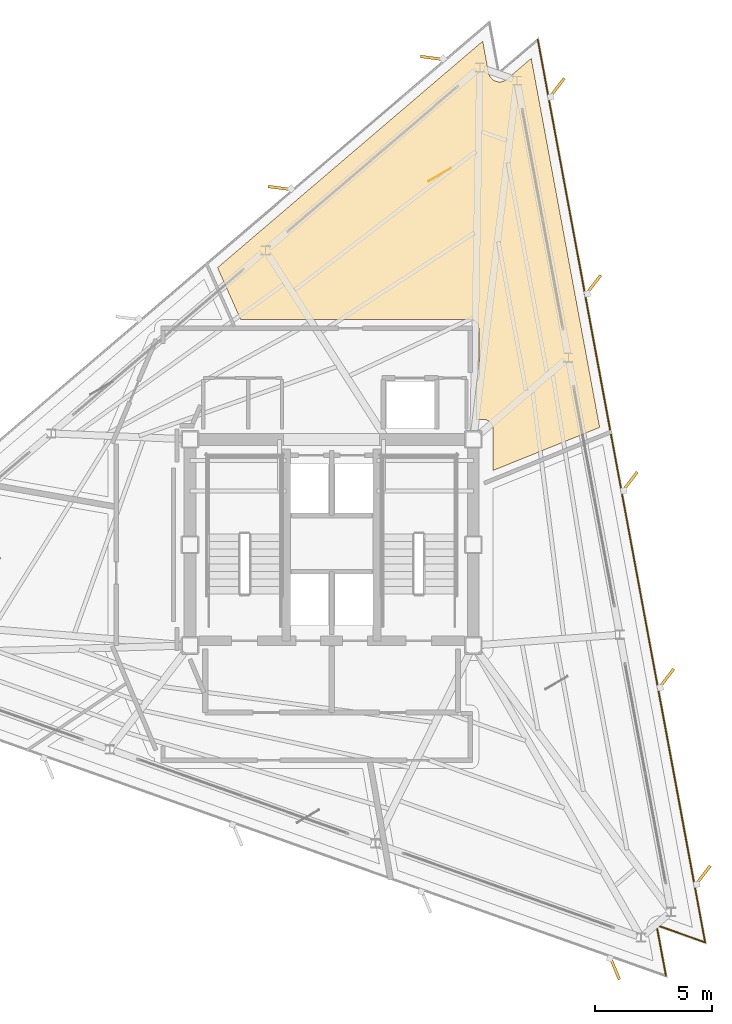
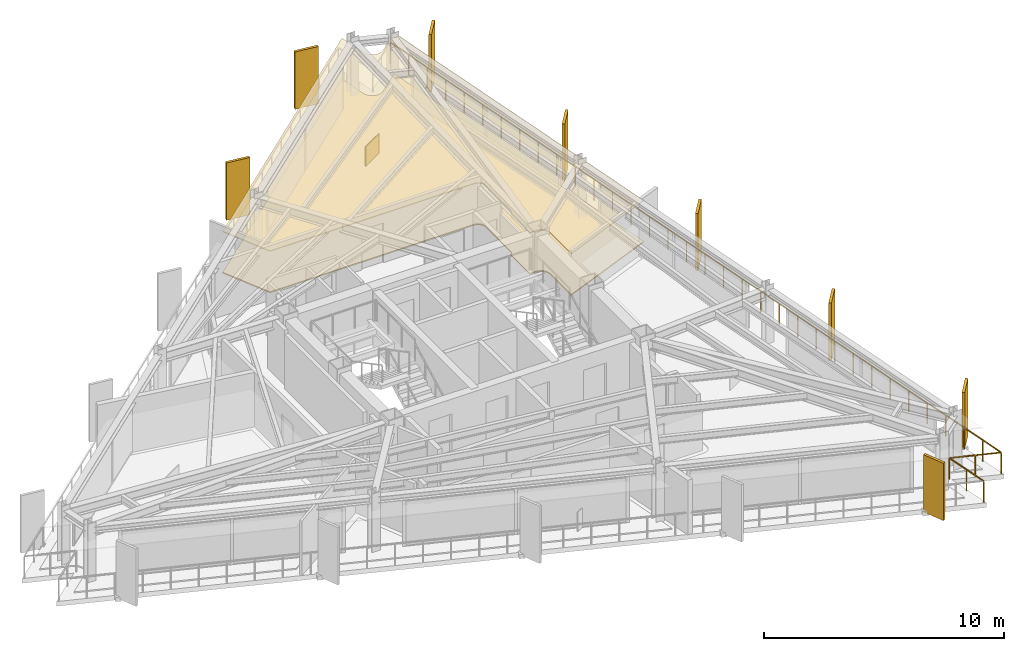
# One storey, part 14 of 14: 8 shading devices, 3 coverings, 1 railing.
"""IFC4 building model written with IfcOpenShell, lengths in metres."""

from ifc_helpers import new_model, si_unit, direction, frame, origin, origin_2d, place, context, subcontext, project, spatial, polyline, rectangle, outline, extrude, material, layer, layer_set, type_object, element, save


model = new_model("IFC4")

# Units and contexts
model_context = context("Model", 3, precision=1e-05, world=origin(), true_north=direction((0.0, 1.0)))
body_context = subcontext(model_context, "Body", "Model", "MODEL_VIEW")
ifc_project = project(units=[si_unit("LENGTHUNIT", "METRE"), si_unit("AREAUNIT", "SQUARE_METRE"), si_unit("VOLUMEUNIT", "CUBIC_METRE"), si_unit("PLANEANGLEUNIT", "RADIAN"), si_unit("MASSUNIT", "GRAM", prefix="KILO")], contexts=[model_context])

# Site, building, storey
site_placement = place(None, origin())
site = spatial("IfcSite", under=ifc_project, at=site_placement, CompositionType="ELEMENT")
building_placement = place(site_placement, origin())
building = spatial("IfcBuilding", under=site, at=building_placement, Name="Rocaltana Carrier Exchange", CompositionType="ELEMENT")
storey_placement = place(building_placement, frame((0.0, 0.0, 187.52001953125)))
storey = spatial("IfcBuildingStorey", under=building, at=storey_placement, Name="L59", CompositionType="ELEMENT", Elevation=187.52001953125)

# Coverings
ifc_material_1 = material(Name="Calcium Sulphate & Aluminium Pedestal", Category="aluminium")
ifc_layer_1 = layer(ifc_material_1, 0.06005859375)
ifc_layer_set_1 = layer_set([ifc_layer_1], Name="Calcium Sulphate & Aluminium Pedestal")
covering_type_1 = type_object("IfcCoveringType", Name="Anti-Static Raised Exchange Access Floor 60", PredefinedType="FLOORING", material=ifc_layer_set_1)
covering_1_placement = place(storey_placement, origin())
element("IfcCovering", 1, at=covering_1_placement, inside=storey, type_object=covering_type_1, Name="L59 Optical Switching Laboratory Finish Floor", PredefinedType="FLOORING", context=body_context, shape_type="SweptSolid", body=[
    extrude(outline(polyline([(6.159912109375, 6.931884765625), (6.16455078125, 6.93603515625), (6.18408203125, 6.955322265625), (6.189208984375, 6.961181640625), (6.206787109375, 6.982421875), (6.21142578125, 6.98876953125), (6.226806640625, 7.01171875), (6.230712890625, 7.018310546875), (6.24365234375, 7.04248046875), (6.2470703125, 7.0498046875), (6.257568359375, 7.0751953125), (6.26025390625, 7.08251953125), (6.268310546875, 7.108642578125), (6.27001953125, 7.116455078125), (6.275390625, 7.143310546875), (6.276611328125, 7.151123046875), (6.279296875, 7.178466796875), (6.27978515625, 7.186279296875), (6.280029296875, 7.199951171875), (6.280029296875, 9.25), (6.27978515625, 9.263671875), (6.279296875, 9.271484375), (6.276611328125, 9.298828125), (6.275390625, 9.306640625), (6.27001953125, 9.33349609375), (6.268310546875, 9.34130859375), (6.26025390625, 9.36767578125), (6.257568359375, 9.375), (6.2470703125, 9.400390625), (6.24365234375, 9.407470703125), (6.230712890625, 9.431640625), (6.226806640625, 9.4384765625), (6.21142578125, 9.461181640625), (6.206787109375, 9.467529296875), (6.189208984375, 9.48876953125), (6.18408203125, 9.49462890625), (6.16455078125, 9.513916015625), (6.15869140625, 9.519287109375), (6.137451171875, 9.53662109375), (6.131103515625, 9.54150390625), (6.1083984375, 9.556640625), (6.101806640625, 9.560791015625), (6.077392578125, 9.57373046875), (6.0703125, 9.576904296875), (6.044921875, 9.58740234375), (6.03759765625, 9.590087890625), (6.01123046875, 9.59814453125), (6.003662109375, 9.60009765625), (5.976806640625, 9.60546875), (5.968994140625, 9.606689453125), (5.941650390625, 9.609375), (5.93359375, 9.609619140625), (5.919921875, 9.610107421875), (-3.884521484375, 9.610107421875), (-4.87451171875, 11.83349609375), (6.447998046875, 21.50390625), (6.697265625, 20.157958984375), (6.7001953125, 20.144287109375), (6.704833984375, 20.125), (6.712646484375, 20.09814453125), (6.718994140625, 20.079345703125), (6.7294921875, 20.053466796875), (6.73779296875, 20.035400390625), (6.7509765625, 20.010498046875), (6.760986328125, 19.993408203125), (6.7763671875, 19.97021484375), (6.7880859375, 19.9541015625), (6.8056640625, 19.932373046875), (6.819091796875, 19.91748046875), (6.838623046875, 19.897705078125), (6.853515625, 19.88427734375), (6.875, 19.866455078125), (6.89111328125, 19.8544921875), (6.914306640625, 19.839111328125), (6.931396484375, 19.828857421875), (6.955810546875, 19.815673828125), (6.973876953125, 19.80712890625), (6.999755859375, 19.796630859375), (7.0185546875, 19.789794921875), (7.04541015625, 19.781982421875), (7.064697265625, 19.777099609375), (7.092041015625, 19.77197265625), (7.11181640625, 19.76904296875), (7.1396484375, 19.7666015625), (7.159423828125, 19.765625), (7.1875, 19.76611328125), (7.207275390625, 19.76708984375), (7.235107421875, 19.770263671875), (7.2548828125, 19.773193359375), (7.281982421875, 19.779052734375), (7.301513671875, 19.7841796875), (7.327880859375, 19.79248046875), (7.3466796875, 19.799560546875), (7.372314453125, 19.810791015625), (7.39013671875, 19.819580078125), (7.41455078125, 19.8330078125), (7.431396484375, 19.843505859375), (7.454345703125, 19.859619140625), (7.47021484375, 19.87158203125), (7.48095703125, 19.880615234375), (8.521728515625, 20.769287109375), (11.4423828125, 5.01123046875), (6.889892578125, 3.172119140625), (6.889892578125, 4.919921875), (6.8896484375, 4.93359375), (6.888916015625, 4.949462890625), (6.88623046875, 4.976806640625), (6.8837890625, 4.9921875), (6.87841796875, 5.019287109375), (6.874755859375, 5.034423828125), (6.86669921875, 5.060791015625), (6.861572265625, 5.07568359375), (6.850830078125, 5.100830078125), (6.84423828125, 5.114990234375), (6.831298828125, 5.139404296875), (6.8232421875, 5.15283203125), (6.807861328125, 5.17578125), (6.798583984375, 5.188232421875), (6.781005859375, 5.20947265625), (6.7705078125, 5.22119140625), (6.751220703125, 5.240478515625), (6.739501953125, 5.251220703125), (6.71826171875, 5.2685546875), (6.705810546875, 5.27783203125), (6.682861328125, 5.293212890625), (6.66943359375, 5.30126953125), (6.64501953125, 5.314208984375), (6.630859375, 5.32080078125), (6.605712890625, 5.33154296875), (6.5908203125, 5.336669921875), (6.564453125, 5.3447265625), (6.54931640625, 5.348388671875), (6.522216796875, 5.35400390625), (6.5068359375, 5.356201171875), (6.4794921875, 5.35888671875), (6.463623046875, 5.359619140625), (6.449951171875, 5.360107421875), (6.159912109375, 5.360107421875), (6.159912109375, 6.931884765625)])), origin(), (0.0, 0.0, 1.0), 0.06005859375),
])
ifc_material_2 = material(Name="Mineral Fibre & Powder-Coated Aluminium", Category="aluminium")
ifc_layer_2 = layer(ifc_material_2, 0.044921875)
ifc_layer_set_2 = layer_set([ifc_layer_2], Name="Mineral Fibre & Powder-Coated Aluminium")
covering_type_2 = type_object("IfcCoveringType", Name="Micro-Perforated Acoustic Ceiling 45", PredefinedType="CEILING", material=ifc_layer_set_2)
covering_2_placement = place(storey_placement, frame((0.0, 0.0, 2.10302734375)))
element("IfcCovering", 2, at=covering_2_placement, inside=storey, type_object=covering_type_2, Name="L59 Optical Switching Laboratory Acoustic Ceiling", PredefinedType="CEILING", context=body_context, shape_type="SweptSolid", body=[
    extrude(outline(polyline([(6.159912109375, 6.931884765625), (6.16455078125, 6.93603515625), (6.18408203125, 6.955322265625), (6.189208984375, 6.961181640625), (6.206787109375, 6.982421875), (6.21142578125, 6.98876953125), (6.226806640625, 7.01171875), (6.230712890625, 7.018310546875), (6.24365234375, 7.04248046875), (6.2470703125, 7.0498046875), (6.257568359375, 7.0751953125), (6.26025390625, 7.08251953125), (6.268310546875, 7.108642578125), (6.27001953125, 7.116455078125), (6.275390625, 7.143310546875), (6.276611328125, 7.151123046875), (6.279296875, 7.178466796875), (6.27978515625, 7.186279296875), (6.280029296875, 7.199951171875), (6.280029296875, 9.25), (6.27978515625, 9.263671875), (6.279296875, 9.271484375), (6.276611328125, 9.298828125), (6.275390625, 9.306640625), (6.27001953125, 9.33349609375), (6.268310546875, 9.34130859375), (6.26025390625, 9.36767578125), (6.257568359375, 9.375), (6.2470703125, 9.400390625), (6.24365234375, 9.407470703125), (6.230712890625, 9.431640625), (6.226806640625, 9.4384765625), (6.21142578125, 9.461181640625), (6.206787109375, 9.467529296875), (6.189208984375, 9.48876953125), (6.18408203125, 9.49462890625), (6.16455078125, 9.513916015625), (6.15869140625, 9.519287109375), (6.137451171875, 9.53662109375), (6.131103515625, 9.54150390625), (6.1083984375, 9.556640625), (6.101806640625, 9.560791015625), (6.077392578125, 9.57373046875), (6.0703125, 9.576904296875), (6.044921875, 9.58740234375), (6.03759765625, 9.590087890625), (6.01123046875, 9.59814453125), (6.003662109375, 9.60009765625), (5.976806640625, 9.60546875), (5.968994140625, 9.606689453125), (5.941650390625, 9.609375), (5.93359375, 9.609619140625), (5.919921875, 9.610107421875), (-3.884521484375, 9.610107421875), (-4.87451171875, 11.83349609375), (6.447998046875, 21.50390625), (6.697265625, 20.157958984375), (6.7001953125, 20.144287109375), (6.704833984375, 20.125), (6.712646484375, 20.09814453125), (6.718994140625, 20.079345703125), (6.7294921875, 20.053466796875), (6.73779296875, 20.035400390625), (6.7509765625, 20.010498046875), (6.760986328125, 19.993408203125), (6.7763671875, 19.97021484375), (6.7880859375, 19.9541015625), (6.8056640625, 19.932373046875), (6.819091796875, 19.91748046875), (6.838623046875, 19.897705078125), (6.853515625, 19.88427734375), (6.875, 19.866455078125), (6.89111328125, 19.8544921875), (6.914306640625, 19.839111328125), (6.931396484375, 19.828857421875), (6.955810546875, 19.815673828125), (6.973876953125, 19.80712890625), (6.999755859375, 19.796630859375), (7.0185546875, 19.789794921875), (7.04541015625, 19.781982421875), (7.064697265625, 19.777099609375), (7.092041015625, 19.77197265625), (7.11181640625, 19.76904296875), (7.1396484375, 19.7666015625), (7.159423828125, 19.765625), (7.1875, 19.76611328125), (7.207275390625, 19.76708984375), (7.235107421875, 19.770263671875), (7.2548828125, 19.773193359375), (7.281982421875, 19.779052734375), (7.301513671875, 19.7841796875), (7.327880859375, 19.79248046875), (7.3466796875, 19.799560546875), (7.372314453125, 19.810791015625), (7.39013671875, 19.819580078125), (7.41455078125, 19.8330078125), (7.431396484375, 19.843505859375), (7.454345703125, 19.859619140625), (7.47021484375, 19.87158203125), (7.48095703125, 19.880615234375), (8.521728515625, 20.769287109375), (11.4423828125, 5.01123046875), (6.889892578125, 3.172119140625), (6.889892578125, 4.919921875), (6.8896484375, 4.93359375), (6.888916015625, 4.949462890625), (6.88623046875, 4.976806640625), (6.8837890625, 4.9921875), (6.87841796875, 5.019287109375), (6.874755859375, 5.034423828125), (6.86669921875, 5.060791015625), (6.861572265625, 5.07568359375), (6.850830078125, 5.100830078125), (6.84423828125, 5.114990234375), (6.831298828125, 5.139404296875), (6.8232421875, 5.15283203125), (6.807861328125, 5.17578125), (6.798583984375, 5.188232421875), (6.781005859375, 5.20947265625), (6.7705078125, 5.22119140625), (6.751220703125, 5.240478515625), (6.739501953125, 5.251220703125), (6.71826171875, 5.2685546875), (6.705810546875, 5.27783203125), (6.682861328125, 5.293212890625), (6.66943359375, 5.30126953125), (6.64501953125, 5.314208984375), (6.630859375, 5.32080078125), (6.605712890625, 5.33154296875), (6.5908203125, 5.336669921875), (6.564453125, 5.3447265625), (6.54931640625, 5.348388671875), (6.522216796875, 5.35400390625), (6.5068359375, 5.356201171875), (6.4794921875, 5.35888671875), (6.463623046875, 5.359619140625), (6.449951171875, 5.360107421875), (6.159912109375, 5.360107421875), (6.159912109375, 6.931884765625)])), origin(), (0.0, 0.0, 1.0), 0.044921875),
])
ifc_material_3 = material(Name="Honed Piedra Muneca Sandstone", Category="masonry")
ifc_layer_3 = layer(ifc_material_3, 0.034912109375)
ifc_layer_set_3 = layer_set([ifc_layer_3], Name="Honed Piedra Muneca Sandstone")
covering_type_3 = type_object("IfcCoveringType", Name="Stone Facade Cladding 35", PredefinedType="CLADDING", material=ifc_layer_set_3)
covering_3_placement = place(storey_placement, frame((4.60595703125, 15.799560546875, 0.0), z_axis=(0.0, 0.0, 1.0), x_axis=(0.866025403784, 0.5, 0.0)))
element("IfcCovering", 3, at=covering_3_placement, inside=storey, type_object=covering_type_3, Name="L59 Stone Facade Cladding Panel 4", PredefinedType="CLADDING", context=body_context, shape_type="SweptSolid", body=[
    extrude(rectangle(XDim=1.10009765625, YDim=0.034912109375, at=origin_2d()), origin(), (0.0, 0.0, 1.0), 1.050048828125),
])

# Shading devices
ifc_material_4 = material(Name="Honed Bogota Sandstone & Concrete C45/55", Category="masonry")
ifc_layer_4 = layer(ifc_material_4, 0.1201171875)
ifc_layer_set_4 = layer_set([ifc_layer_4], Name="Honed Bogota Sandstone & Concrete C45/55")
shading_device_type = type_object("IfcShadingDeviceType", Name="Upper Sandstone Shading Fin 1050x120", PredefinedType="USERDEFINED", material=ifc_layer_set_4)
for number, where, z_axis, x_axis, name in (
    (4, (15.84375, -14.124755859375, -0.1201171875), (0.0, 0.0, 1.0), (0.608761429009, 0.793353340291, 0.0), "L59 Sandstone Vertical Fin F1-01"),
    (5, (14.28564453125, -5.718017578125, -0.1201171875), (0.0, 0.0, 1.0), (0.608761429009, 0.793353340291, 0.0), "L59 Sandstone Vertical Fin F1-02"),
    (6, (12.7275390625, 2.68896484375, -0.1201171875), (0.0, 0.0, 1.0), (0.608761429009, 0.793353340291, 0.0), "L59 Sandstone Vertical Fin F1-03"),
    (7, (11.16943359375, 11.095703125, -0.1201171875), (0.0, 0.0, 1.0), (0.608761429009, 0.793353340291, 0.0), "L59 Sandstone Vertical Fin F1-04"),
    (8, (9.611328125, 19.502685546875, -0.1201171875), (0.0, 0.0, 1.0), (0.608761429009, 0.793353340291, 0.0), "L59 Sandstone Vertical Fin F1-05"),
    (9, (4.310546875, 20.783447265625, -0.1201171875), (0.0, 0.0, 1.0), (-0.991444861374, 0.13052619222, 0.0), "L59 Sandstone Vertical Fin F2-01"),
    (10, (-2.19091796875, 15.230712890625, -0.1201171875), (0.0, 0.0, 1.0), (-0.991444861374, 0.13052619222, 0.0), "L59 Sandstone Vertical Fin F2-02"),
    (11, (12.083984375, -18.074951171875, -0.1201171875), (0.0, 0.0, 1.0), (0.382683432365, -0.923879532511, 0.0), "L59 Sandstone Vertical Fin F3-05"),
):
    element("IfcShadingDevice", number, at=place(storey_placement, frame(where, z_axis=z_axis, x_axis=x_axis)), inside=storey, type_object=shading_device_type, Name=name, ObjectType="FIN", PredefinedType="USERDEFINED", context=body_context, shape_type="SweptSolid", body=[
        extrude(rectangle(XDim=1.050048828125, YDim=0.1201171875, at=origin_2d()), origin(), (0.0, 0.0, 1.0), 2.91796875),
    ])

# Railing
ifc_material_5 = material(Name="Powder-Coated Aluminium 6063-T6", Category="aluminium")
ifc_layer_5 = layer(ifc_material_5, 0.06005859375)
ifc_layer_set_5 = layer_set([ifc_layer_5], Name="Powder-Coated Aluminium 6063-T6")
railing_type = type_object("IfcRailingType", Name="Wind-Floor & Terrace Perimeter Guardrail 1100", PredefinedType="GUARDRAIL", material=ifc_layer_set_5)
railing_placement = place(storey_placement, frame((8.802001953125, 21.561279296875, 0.0)))
element("IfcRailing", 12, at=railing_placement, inside=storey, type_object=railing_type, Name="L59 Perimeter Balcony Guardrail 3", PredefinedType="GUARDRAIL", context=body_context, shape_type="SweptSolid", body=[
    extrude(rectangle(XDim=0.048095703125, YDim=0.048095703125, at=origin_2d()), frame((0.0, 0.0, 1.076171875), z_axis=(0.182238712152, -0.983254316946, 0.0), x_axis=(0.983254316946, 0.182238712152, 0.0)), (0.0, 0.0, 1.0), 39.192138671875),
    extrude(rectangle(XDim=0.048095703125, YDim=0.048095703125, at=origin_2d()), frame((7.142333984375, -38.535888671875, 1.076171875), z_axis=(-0.942672327986, 0.333719765747, 0.0), x_axis=(-0.333719765747, -0.942672327986, 0.0)), (0.0, 0.0, 1.0), 2.199951171875),
    extrude(rectangle(XDim=0.048095703125, YDim=0.048095703125, at=origin_2d()), frame((5.068603515625, -37.8017578125, 1.076171875), z_axis=(0.1822243738, -0.983256974342, 0.0), x_axis=(0.983256974342, 0.1822243738, 0.0)), (0.0, 0.0, 1.0), 2.199951171875),
    extrude(rectangle(XDim=0.0419921875, YDim=0.0419921875, at=origin_2d()), origin(), (0.0, 0.0, 1.0), 1.052001953125),
    extrude(rectangle(XDim=0.0419921875, YDim=0.0419921875, at=origin_2d()), frame((0.216552734375, -1.167724609375, 0.0)), (0.0, 0.0, 1.0), 1.052001953125),
    extrude(rectangle(XDim=0.0419921875, YDim=0.0419921875, at=origin_2d()), frame((0.432861328125, -2.33544921875, 0.0)), (0.0, 0.0, 1.0), 1.052001953125),
    extrude(rectangle(XDim=0.0419921875, YDim=0.0419921875, at=origin_2d()), frame((0.6494140625, -3.503173828125, 0.0)), (0.0, 0.0, 1.0), 1.052001953125),
    extrude(rectangle(XDim=0.0419921875, YDim=0.0419921875, at=origin_2d()), frame((0.86572265625, -4.6708984375, 0.0)), (0.0, 0.0, 1.0), 1.052001953125),
    extrude(rectangle(XDim=0.0419921875, YDim=0.0419921875, at=origin_2d()), frame((1.082275390625, -5.8388671875, 0.0)), (0.0, 0.0, 1.0), 1.052001953125),
    extrude(rectangle(XDim=0.0419921875, YDim=0.0419921875, at=origin_2d()), frame((1.298583984375, -7.006591796875, 0.0)), (0.0, 0.0, 1.0), 1.052001953125),
    extrude(rectangle(XDim=0.0419921875, YDim=0.0419921875, at=origin_2d()), frame((1.51513671875, -8.17431640625, 0.0)), (0.0, 0.0, 1.0), 1.052001953125),
    extrude(rectangle(XDim=0.0419921875, YDim=0.0419921875, at=origin_2d()), frame((1.7314453125, -9.342041015625, 0.0)), (0.0, 0.0, 1.0), 1.052001953125),
    extrude(rectangle(XDim=0.0419921875, YDim=0.0419921875, at=origin_2d()), frame((1.947998046875, -10.509765625, 0.0)), (0.0, 0.0, 1.0), 1.052001953125),
    extrude(rectangle(XDim=0.0419921875, YDim=0.0419921875, at=origin_2d()), frame((2.164306640625, -11.677490234375, 0.0)), (0.0, 0.0, 1.0), 1.052001953125),
    extrude(rectangle(XDim=0.0419921875, YDim=0.0419921875, at=origin_2d()), frame((2.380859375, -12.84521484375, 0.0)), (0.0, 0.0, 1.0), 1.052001953125),
    extrude(rectangle(XDim=0.0419921875, YDim=0.0419921875, at=origin_2d()), frame((2.59716796875, -14.012939453125, 0.0)), (0.0, 0.0, 1.0), 1.052001953125),
    extrude(rectangle(XDim=0.0419921875, YDim=0.0419921875, at=origin_2d()), frame((2.813720703125, -15.180908203125, 0.0)), (0.0, 0.0, 1.0), 1.052001953125),
    extrude(rectangle(XDim=0.0419921875, YDim=0.0419921875, at=origin_2d()), frame((3.030029296875, -16.3486328125, 0.0)), (0.0, 0.0, 1.0), 1.052001953125),
    extrude(rectangle(XDim=0.0419921875, YDim=0.0419921875, at=origin_2d()), frame((3.24658203125, -17.516357421875, 0.0)), (0.0, 0.0, 1.0), 1.052001953125),
    extrude(rectangle(XDim=0.0419921875, YDim=0.0419921875, at=origin_2d()), frame((3.462890625, -18.68408203125, 0.0)), (0.0, 0.0, 1.0), 1.052001953125),
    extrude(rectangle(XDim=0.0419921875, YDim=0.0419921875, at=origin_2d()), frame((3.679443359375, -19.851806640625, 0.0)), (0.0, 0.0, 1.0), 1.052001953125),
    extrude(rectangle(XDim=0.0419921875, YDim=0.0419921875, at=origin_2d()), frame((3.895751953125, -21.01953125, 0.0)), (0.0, 0.0, 1.0), 1.052001953125),
    extrude(rectangle(XDim=0.0419921875, YDim=0.0419921875, at=origin_2d()), frame((4.1123046875, -22.187255859375, 0.0)), (0.0, 0.0, 1.0), 1.052001953125),
    extrude(rectangle(XDim=0.0419921875, YDim=0.0419921875, at=origin_2d()), frame((4.32861328125, -23.35498046875, 0.0)), (0.0, 0.0, 1.0), 1.052001953125),
    extrude(rectangle(XDim=0.0419921875, YDim=0.0419921875, at=origin_2d()), frame((4.545166015625, -24.52294921875, 0.0)), (0.0, 0.0, 1.0), 1.052001953125),
    extrude(rectangle(XDim=0.0419921875, YDim=0.0419921875, at=origin_2d()), frame((4.761474609375, -25.690673828125, 0.0)), (0.0, 0.0, 1.0), 1.052001953125),
    extrude(rectangle(XDim=0.0419921875, YDim=0.0419921875, at=origin_2d()), frame((4.97802734375, -26.8583984375, 0.0)), (0.0, 0.0, 1.0), 1.052001953125),
    extrude(rectangle(XDim=0.0419921875, YDim=0.0419921875, at=origin_2d()), frame((5.1943359375, -28.026123046875, 0.0)), (0.0, 0.0, 1.0), 1.052001953125),
    extrude(rectangle(XDim=0.0419921875, YDim=0.0419921875, at=origin_2d()), frame((5.410888671875, -29.19384765625, 0.0)), (0.0, 0.0, 1.0), 1.052001953125),
    extrude(rectangle(XDim=0.0419921875, YDim=0.0419921875, at=origin_2d()), frame((5.627197265625, -30.361572265625, 0.0)), (0.0, 0.0, 1.0), 1.052001953125),
    extrude(rectangle(XDim=0.0419921875, YDim=0.0419921875, at=origin_2d()), frame((5.84375, -31.529296875, 0.0)), (0.0, 0.0, 1.0), 1.052001953125),
    extrude(rectangle(XDim=0.0419921875, YDim=0.0419921875, at=origin_2d()), frame((6.06005859375, -32.697021484375, 0.0)), (0.0, 0.0, 1.0), 1.052001953125),
    extrude(rectangle(XDim=0.0419921875, YDim=0.0419921875, at=origin_2d()), frame((6.276611328125, -33.864990234375, 0.0)), (0.0, 0.0, 1.0), 1.052001953125),
    extrude(rectangle(XDim=0.0419921875, YDim=0.0419921875, at=origin_2d()), frame((6.492919921875, -35.03271484375, 0.0)), (0.0, 0.0, 1.0), 1.052001953125),
    extrude(rectangle(XDim=0.0419921875, YDim=0.0419921875, at=origin_2d()), frame((6.70947265625, -36.200439453125, 0.0)), (0.0, 0.0, 1.0), 1.052001953125),
    extrude(rectangle(XDim=0.0419921875, YDim=0.0419921875, at=origin_2d()), frame((6.92578125, -37.3681640625, 0.0)), (0.0, 0.0, 1.0), 1.052001953125),
    extrude(rectangle(XDim=0.0419921875, YDim=0.0419921875, at=origin_2d()), frame((7.142333984375, -38.535888671875, 0.0)), (0.0, 0.0, 1.0), 1.052001953125),
    extrude(rectangle(XDim=0.0419921875, YDim=0.0419921875, at=origin_2d()), frame((6.10546875, -38.1689453125, 0.0)), (0.0, 0.0, 1.0), 1.052001953125),
    extrude(rectangle(XDim=0.0419921875, YDim=0.0419921875, at=origin_2d()), frame((5.068603515625, -37.8017578125, 0.0)), (0.0, 0.0, 1.0), 1.052001953125),
    extrude(rectangle(XDim=0.0419921875, YDim=0.0419921875, at=origin_2d()), frame((5.26904296875, -38.88330078125, 0.0)), (0.0, 0.0, 1.0), 1.052001953125),
    extrude(rectangle(XDim=0.0419921875, YDim=0.0419921875, at=origin_2d()), frame((5.469482421875, -39.96484375, 0.0)), (0.0, 0.0, 1.0), 1.052001953125),
])

save(model, "model.ifc")
